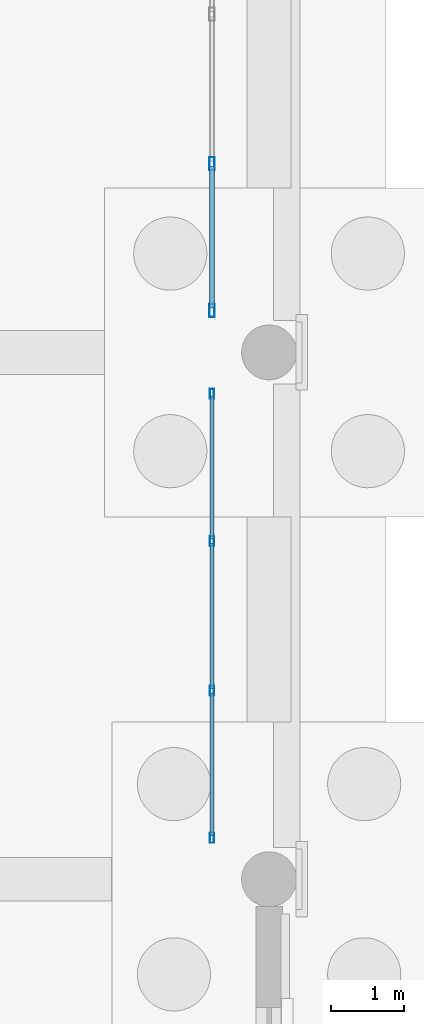
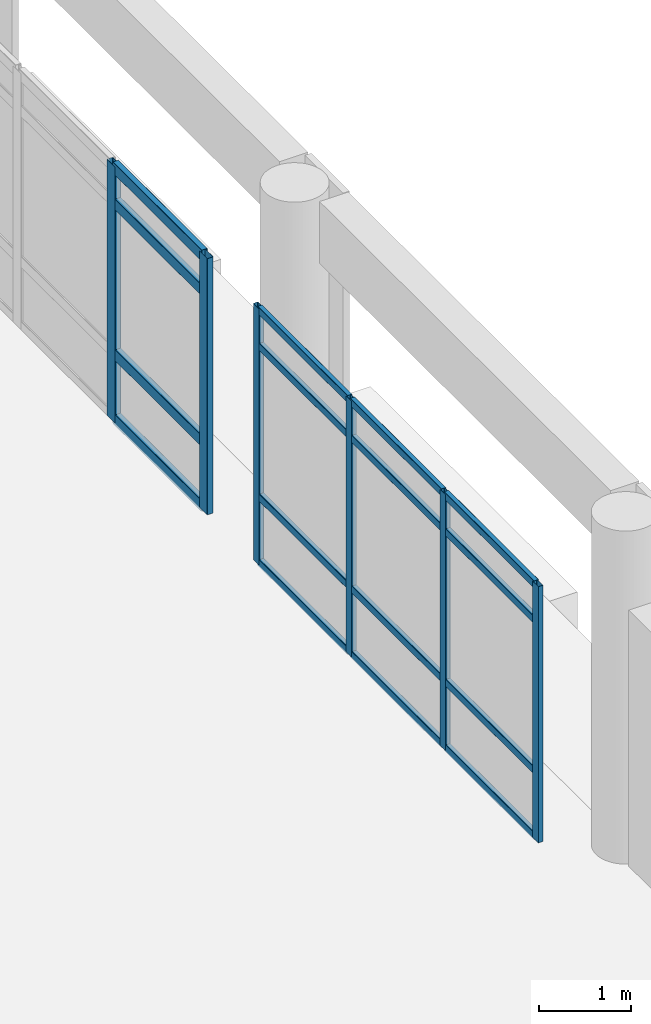
# One storey, part 125 of 196: 22 members, 2 elements without a shape of their own.
"""IFC4 building model written with IfcOpenShell, lengths in metres."""

from ifc_helpers import new_model, si_unit, direction, frame, origin, origin_2d, place, context, subcontext, project, spatial, hollow_rectangle, extrude, material, layer, layer_set, material_profile, profile_set, type_object, element, aggregate, save


model = new_model("IFC4")

# Units and contexts
model_context = context("Model", 3, precision=1e-05, world=origin(), true_north=direction((0.0, 1.0)))
body_context = subcontext(model_context, "Body", "Model", "MODEL_VIEW")
ifc_project = project(units=[si_unit("LENGTHUNIT", "METRE"), si_unit("AREAUNIT", "SQUARE_METRE"), si_unit("VOLUMEUNIT", "CUBIC_METRE"), si_unit("PLANEANGLEUNIT", "RADIAN"), si_unit("MASSUNIT", "GRAM", prefix="KILO")], contexts=[model_context])

# Site, building, storey
site_placement = place(None, origin())
site = spatial("IfcSite", under=ifc_project, at=site_placement, CompositionType="ELEMENT")
building_placement = place(site_placement, origin())
building = spatial("IfcBuilding", under=site, at=building_placement, Name="Asteropetra Specialist Clinic", CompositionType="ELEMENT")
storey_placement = place(building_placement, origin())
storey = spatial("IfcBuildingStorey", under=building, at=storey_placement, Name="L00", CompositionType="ELEMENT", Elevation=0.0)

# Curtain wall, members
ifc_material_1 = material(Name="Aluminium and low-E glass", Category="aluminium")
ifc_layer = layer(ifc_material_1, 0.179931640625)
ifc_layer_set = layer_set([ifc_layer], Name="Aluminium and low-E glass")
curtain_wall_type = type_object("IfcCurtainWallType", Name="CW-SYS-10", PredefinedType="USERDEFINED", material=ifc_layer_set)
curtain_wall_1_placement = place(storey_placement, origin())
curtain_wall_1 = element("IfcCurtainWall", 1, at=curtain_wall_1_placement, inside=storey, type_object=curtain_wall_type, Name="Curtain Wall CW-197", ObjectType="STICK GLAZED COLONNADE", PredefinedType="USERDEFINED")
ifc_material_2 = material(Name="Aluminium 6063-T6", Category="aluminium")
ifc_material_profile_1 = material_profile(ifc_material_2, hollow_rectangle(XDim=0.06005859375, YDim=0.135009765625, WallThickness=0.00341796875, InnerFilletRadius=0.00341796875, OuterFilletRadius=0.007080078125, at=origin_2d()), Name="MUL 135x60x3.5")
ifc_profile_set_1 = profile_set([ifc_material_profile_1], Name="Aluminium 6063-T6")
member_type_1 = type_object("IfcMemberType", Name="CWM-135x60", PredefinedType="MULLION", material=ifc_profile_set_1)
member_1_placement = place(storey_placement, frame((152.820068359375, 5.364990234375, 0.0), z_axis=(0.0, 0.0, 1.0), x_axis=(-1.0, 0.0, 0.0)))
member_1 = element("IfcMember", 2, at=member_1_placement, type_object=member_type_1, Name="CW-197 mullion 1", PredefinedType="MULLION", context=body_context, shape_type="SweptSolid", body=[
    extrude(hollow_rectangle(XDim=0.06005859375, YDim=0.135009765625, WallThickness=0.00341796875, InnerFilletRadius=0.00341796875, OuterFilletRadius=0.007080078125, at=origin_2d()), origin(), (0.0, 0.0, 1.0), 3.39990234375),
])
member_2_placement = place(storey_placement, frame((152.820068359375, 7.37841796875, 0.0), z_axis=(0.0, 0.0, 1.0), x_axis=(-1.0, 0.0, 0.0)))
member_2 = element("IfcMember", 3, at=member_2_placement, type_object=member_type_1, Name="CW-197 mullion 2", PredefinedType="MULLION", context=body_context, shape_type="SweptSolid", body=[
    extrude(hollow_rectangle(XDim=0.06005859375, YDim=0.135009765625, WallThickness=0.00341796875, InnerFilletRadius=0.00341796875, OuterFilletRadius=0.007080078125, at=origin_2d()), origin(), (0.0, 0.0, 1.0), 3.39990234375),
])
member_3_placement = place(storey_placement, frame((152.820068359375, 9.421630859375, 0.0), z_axis=(0.0, 0.0, 1.0), x_axis=(-1.0, 0.0, 0.0)))
member_3 = element("IfcMember", 4, at=member_3_placement, type_object=member_type_1, Name="CW-197 mullion 3", PredefinedType="MULLION", context=body_context, shape_type="SweptSolid", body=[
    extrude(hollow_rectangle(XDim=0.06005859375, YDim=0.135009765625, WallThickness=0.00341796875, InnerFilletRadius=0.00341796875, OuterFilletRadius=0.007080078125, at=origin_2d()), origin(), (0.0, 0.0, 1.0), 3.39990234375),
])
member_4_placement = place(storey_placement, frame((152.820068359375, 11.43505859375, 0.0), z_axis=(0.0, 0.0, 1.0), x_axis=(-1.0, 0.0, 0.0)))
member_4 = element("IfcMember", 5, at=member_4_placement, type_object=member_type_1, Name="CW-197 mullion 4", PredefinedType="MULLION", context=body_context, shape_type="SweptSolid", body=[
    extrude(hollow_rectangle(XDim=0.06005859375, YDim=0.135009765625, WallThickness=0.00341796875, InnerFilletRadius=0.00341796875, OuterFilletRadius=0.007080078125, at=origin_2d()), origin(), (0.0, 0.0, 1.0), 3.39990234375),
])

curtain_wall_2_placement = place(storey_placement, origin())
curtain_wall_2 = element("IfcCurtainWall", 6, at=curtain_wall_2_placement, inside=storey, type_object=curtain_wall_type, Name="Curtain Wall CW-198", ObjectType="STICK GLAZED COLONNADE", PredefinedType="USERDEFINED")
ifc_material_3 = material(Name="Aluminium 6063-T6", Category="aluminium")
ifc_material_profile_2 = material_profile(ifc_material_3, hollow_rectangle(XDim=0.074951171875, YDim=0.179931640625, WallThickness=0.00390625, InnerFilletRadius=0.00390625, OuterFilletRadius=0.008056640625, at=origin_2d()), Name="MUL 180x75x4.0")
ifc_profile_set_2 = profile_set([ifc_material_profile_2], Name="Aluminium 6063-T6")
member_type_2 = type_object("IfcMemberType", Name="CWM-180x75", PredefinedType="MULLION", material=ifc_profile_set_2)
member_5_placement = place(storey_placement, frame((152.820068359375, 12.572509765625, 0.0), z_axis=(0.0, 0.0, 1.0), x_axis=(-1.0, 0.0, 0.0)))
member_5 = element("IfcMember", 7, at=member_5_placement, type_object=member_type_2, Name="CW-198 mullion 1", PredefinedType="MULLION", context=body_context, shape_type="SweptSolid", body=[
    extrude(hollow_rectangle(XDim=0.074951171875, YDim=0.179931640625, WallThickness=0.00390625, InnerFilletRadius=0.00390625, OuterFilletRadius=0.008056640625, at=origin_2d()), origin(), (0.0, 0.0, 1.0), 3.39990234375),
])
member_6_placement = place(storey_placement, frame((152.820068359375, 14.578369140625, 0.0), z_axis=(0.0, 0.0, 1.0), x_axis=(-1.0, 0.0, 0.0)))
member_6 = element("IfcMember", 8, at=member_6_placement, type_object=member_type_2, Name="CW-198 mullion 2", PredefinedType="MULLION", context=body_context, shape_type="SweptSolid", body=[
    extrude(hollow_rectangle(XDim=0.074951171875, YDim=0.179931640625, WallThickness=0.00390625, InnerFilletRadius=0.00390625, OuterFilletRadius=0.008056640625, at=origin_2d()), origin(), (0.0, 0.0, 1.0), 3.39990234375),
])

# Member
ifc_material_4 = material(Name="Aluminium 6063-T6", Category="aluminium")
ifc_material_profile_3 = material_profile(ifc_material_4, hollow_rectangle(XDim=0.06005859375, YDim=0.10009765625, WallThickness=0.00341796875, InnerFilletRadius=0.00341796875, OuterFilletRadius=0.007080078125, at=origin_2d()), Name="TRN 100x60x3.5")
ifc_profile_set_3 = profile_set([ifc_material_profile_3], Name="Aluminium 6063-T6")
member_type_3 = type_object("IfcMemberType", Name="CWT-100x60", PredefinedType="USERDEFINED", material=ifc_profile_set_3)
member_7_placement = place(storey_placement, frame((152.820068359375, 5.39501953125, 0.030029296875), z_axis=(0.0, 1.0, 0.0), x_axis=(-1.0, 0.0, 0.0)))
member_7 = element("IfcMember", 9, at=member_7_placement, type_object=member_type_3, Name="CW-197 transom 1.1", ObjectType="TRANSOM", PredefinedType="USERDEFINED", context=body_context, shape_type="SweptSolid", body=[
    extrude(hollow_rectangle(XDim=0.06005859375, YDim=0.10009765625, WallThickness=0.00341796875, InnerFilletRadius=0.00341796875, OuterFilletRadius=0.007080078125, at=origin_2d()), origin(), (0.0, 0.0, 1.0), 1.953369140625),
])

member_8_placement = place(storey_placement, frame((152.820068359375, 5.39501953125, 0.89990234375), z_axis=(0.0, 1.0, 0.0), x_axis=(-1.0, 0.0, 0.0)))
member_8 = element("IfcMember", 10, at=member_8_placement, type_object=member_type_3, Name="CW-197 transom 1.2", ObjectType="TRANSOM", PredefinedType="USERDEFINED", context=body_context, shape_type="SweptSolid", body=[
    extrude(hollow_rectangle(XDim=0.06005859375, YDim=0.10009765625, WallThickness=0.00341796875, InnerFilletRadius=0.00341796875, OuterFilletRadius=0.007080078125, at=origin_2d()), origin(), (0.0, 0.0, 1.0), 1.953369140625),
])

member_9_placement = place(storey_placement, frame((152.820068359375, 5.39501953125, 2.89990234375), z_axis=(0.0, 1.0, 0.0), x_axis=(-1.0, 0.0, 0.0)))
member_9 = element("IfcMember", 11, at=member_9_placement, type_object=member_type_3, Name="CW-197 transom 1.3", ObjectType="TRANSOM", PredefinedType="USERDEFINED", context=body_context, shape_type="SweptSolid", body=[
    extrude(hollow_rectangle(XDim=0.06005859375, YDim=0.10009765625, WallThickness=0.00341796875, InnerFilletRadius=0.00341796875, OuterFilletRadius=0.007080078125, at=origin_2d()), origin(), (0.0, 0.0, 1.0), 1.953369140625),
])

member_10_placement = place(storey_placement, frame((152.820068359375, 5.39501953125, 3.3701171875), z_axis=(0.0, 1.0, 0.0), x_axis=(-1.0, 0.0, 0.0)))
member_10 = element("IfcMember", 12, at=member_10_placement, type_object=member_type_3, Name="CW-197 transom 1.4", ObjectType="TRANSOM", PredefinedType="USERDEFINED", context=body_context, shape_type="SweptSolid", body=[
    extrude(hollow_rectangle(XDim=0.06005859375, YDim=0.10009765625, WallThickness=0.00341796875, InnerFilletRadius=0.00341796875, OuterFilletRadius=0.007080078125, at=origin_2d()), origin(), (0.0, 0.0, 1.0), 1.953369140625),
])

member_11_placement = place(storey_placement, frame((152.820068359375, 7.408447265625, 0.030029296875), z_axis=(0.0, 1.0, 0.0), x_axis=(-1.0, 0.0, 0.0)))
member_11 = element("IfcMember", 13, at=member_11_placement, type_object=member_type_3, Name="CW-197 transom 2.1", ObjectType="TRANSOM", PredefinedType="USERDEFINED", context=body_context, shape_type="SweptSolid", body=[
    extrude(hollow_rectangle(XDim=0.06005859375, YDim=0.10009765625, WallThickness=0.00341796875, InnerFilletRadius=0.00341796875, OuterFilletRadius=0.007080078125, at=origin_2d()), origin(), (0.0, 0.0, 1.0), 1.983154296875),
])

member_12_placement = place(storey_placement, frame((152.820068359375, 7.408447265625, 0.89990234375), z_axis=(0.0, 1.0, 0.0), x_axis=(-1.0, 0.0, 0.0)))
member_12 = element("IfcMember", 14, at=member_12_placement, type_object=member_type_3, Name="CW-197 transom 2.2", ObjectType="TRANSOM", PredefinedType="USERDEFINED", context=body_context, shape_type="SweptSolid", body=[
    extrude(hollow_rectangle(XDim=0.06005859375, YDim=0.10009765625, WallThickness=0.00341796875, InnerFilletRadius=0.00341796875, OuterFilletRadius=0.007080078125, at=origin_2d()), origin(), (0.0, 0.0, 1.0), 1.983154296875),
])

member_13_placement = place(storey_placement, frame((152.820068359375, 7.408447265625, 2.89990234375), z_axis=(0.0, 1.0, 0.0), x_axis=(-1.0, 0.0, 0.0)))
member_13 = element("IfcMember", 15, at=member_13_placement, type_object=member_type_3, Name="CW-197 transom 2.3", ObjectType="TRANSOM", PredefinedType="USERDEFINED", context=body_context, shape_type="SweptSolid", body=[
    extrude(hollow_rectangle(XDim=0.06005859375, YDim=0.10009765625, WallThickness=0.00341796875, InnerFilletRadius=0.00341796875, OuterFilletRadius=0.007080078125, at=origin_2d()), origin(), (0.0, 0.0, 1.0), 1.983154296875),
])

member_14_placement = place(storey_placement, frame((152.820068359375, 7.408447265625, 3.3701171875), z_axis=(0.0, 1.0, 0.0), x_axis=(-1.0, 0.0, 0.0)))
member_14 = element("IfcMember", 16, at=member_14_placement, type_object=member_type_3, Name="CW-197 transom 2.4", ObjectType="TRANSOM", PredefinedType="USERDEFINED", context=body_context, shape_type="SweptSolid", body=[
    extrude(hollow_rectangle(XDim=0.06005859375, YDim=0.10009765625, WallThickness=0.00341796875, InnerFilletRadius=0.00341796875, OuterFilletRadius=0.007080078125, at=origin_2d()), origin(), (0.0, 0.0, 1.0), 1.983154296875),
])

member_15_placement = place(storey_placement, frame((152.820068359375, 9.45166015625, 0.030029296875), z_axis=(0.0, 1.0, 0.0), x_axis=(-1.0, 0.0, 0.0)))
member_15 = element("IfcMember", 17, at=member_15_placement, type_object=member_type_3, Name="CW-197 transom 3.1", ObjectType="TRANSOM", PredefinedType="USERDEFINED", context=body_context, shape_type="SweptSolid", body=[
    extrude(hollow_rectangle(XDim=0.06005859375, YDim=0.10009765625, WallThickness=0.00341796875, InnerFilletRadius=0.00341796875, OuterFilletRadius=0.007080078125, at=origin_2d()), origin(), (0.0, 0.0, 1.0), 1.953369140625),
])

member_16_placement = place(storey_placement, frame((152.820068359375, 9.45166015625, 0.89990234375), z_axis=(0.0, 1.0, 0.0), x_axis=(-1.0, 0.0, 0.0)))
member_16 = element("IfcMember", 18, at=member_16_placement, type_object=member_type_3, Name="CW-197 transom 3.2", ObjectType="TRANSOM", PredefinedType="USERDEFINED", context=body_context, shape_type="SweptSolid", body=[
    extrude(hollow_rectangle(XDim=0.06005859375, YDim=0.10009765625, WallThickness=0.00341796875, InnerFilletRadius=0.00341796875, OuterFilletRadius=0.007080078125, at=origin_2d()), origin(), (0.0, 0.0, 1.0), 1.953369140625),
])

member_17_placement = place(storey_placement, frame((152.820068359375, 9.45166015625, 2.89990234375), z_axis=(0.0, 1.0, 0.0), x_axis=(-1.0, 0.0, 0.0)))
member_17 = element("IfcMember", 19, at=member_17_placement, type_object=member_type_3, Name="CW-197 transom 3.3", ObjectType="TRANSOM", PredefinedType="USERDEFINED", context=body_context, shape_type="SweptSolid", body=[
    extrude(hollow_rectangle(XDim=0.06005859375, YDim=0.10009765625, WallThickness=0.00341796875, InnerFilletRadius=0.00341796875, OuterFilletRadius=0.007080078125, at=origin_2d()), origin(), (0.0, 0.0, 1.0), 1.953369140625),
])

member_18_placement = place(storey_placement, frame((152.820068359375, 9.45166015625, 3.3701171875), z_axis=(0.0, 1.0, 0.0), x_axis=(-1.0, 0.0, 0.0)))
member_18 = element("IfcMember", 20, at=member_18_placement, type_object=member_type_3, Name="CW-197 transom 3.4", ObjectType="TRANSOM", PredefinedType="USERDEFINED", context=body_context, shape_type="SweptSolid", body=[
    extrude(hollow_rectangle(XDim=0.06005859375, YDim=0.10009765625, WallThickness=0.00341796875, InnerFilletRadius=0.00341796875, OuterFilletRadius=0.007080078125, at=origin_2d()), origin(), (0.0, 0.0, 1.0), 1.953369140625),
])

aggregate(curtain_wall_1, [member_1, member_2, member_3, member_4, member_7, member_8, member_9, member_10, member_11, member_12, member_13, member_14, member_15, member_16, member_17, member_18])

ifc_material_5 = material(Name="Aluminium 6063-T6", Category="aluminium")
ifc_material_profile_4 = material_profile(ifc_material_5, hollow_rectangle(XDim=0.074951171875, YDim=0.14990234375, WallThickness=0.00390625, InnerFilletRadius=0.00390625, OuterFilletRadius=0.008056640625, at=origin_2d()), Name="TRN 150x75x4.0")
ifc_profile_set_4 = profile_set([ifc_material_profile_4], Name="Aluminium 6063-T6")
member_type_4 = type_object("IfcMemberType", Name="CWT-150x75", PredefinedType="USERDEFINED", material=ifc_profile_set_4)
member_19_placement = place(storey_placement, frame((152.820068359375, 12.610107421875, 0.03759765625), z_axis=(0.0, 1.0, 0.0), x_axis=(-1.0, 0.0, 0.0)))
member_19 = element("IfcMember", 21, at=member_19_placement, type_object=member_type_4, Name="CW-198 transom 1.1", ObjectType="TRANSOM", PredefinedType="USERDEFINED", context=body_context, shape_type="SweptSolid", body=[
    extrude(hollow_rectangle(XDim=0.074951171875, YDim=0.14990234375, WallThickness=0.00390625, InnerFilletRadius=0.00390625, OuterFilletRadius=0.008056640625, at=origin_2d()), origin(), (0.0, 0.0, 1.0), 1.9306640625),
])

member_20_placement = place(storey_placement, frame((152.820068359375, 12.610107421875, 0.89990234375), z_axis=(0.0, 1.0, 0.0), x_axis=(-1.0, 0.0, 0.0)))
member_20 = element("IfcMember", 22, at=member_20_placement, type_object=member_type_4, Name="CW-198 transom 1.2", ObjectType="TRANSOM", PredefinedType="USERDEFINED", context=body_context, shape_type="SweptSolid", body=[
    extrude(hollow_rectangle(XDim=0.074951171875, YDim=0.14990234375, WallThickness=0.00390625, InnerFilletRadius=0.00390625, OuterFilletRadius=0.008056640625, at=origin_2d()), origin(), (0.0, 0.0, 1.0), 1.9306640625),
])

member_21_placement = place(storey_placement, frame((152.820068359375, 12.610107421875, 2.89990234375), z_axis=(0.0, 1.0, 0.0), x_axis=(-1.0, 0.0, 0.0)))
member_21 = element("IfcMember", 23, at=member_21_placement, type_object=member_type_4, Name="CW-198 transom 1.3", ObjectType="TRANSOM", PredefinedType="USERDEFINED", context=body_context, shape_type="SweptSolid", body=[
    extrude(hollow_rectangle(XDim=0.074951171875, YDim=0.14990234375, WallThickness=0.00390625, InnerFilletRadius=0.00390625, OuterFilletRadius=0.008056640625, at=origin_2d()), origin(), (0.0, 0.0, 1.0), 1.9306640625),
])

member_22_placement = place(storey_placement, frame((152.820068359375, 12.610107421875, 3.362548828125), z_axis=(0.0, 1.0, 0.0), x_axis=(-1.0, 0.0, 0.0)))
member_22 = element("IfcMember", 24, at=member_22_placement, type_object=member_type_4, Name="CW-198 transom 1.4", ObjectType="TRANSOM", PredefinedType="USERDEFINED", context=body_context, shape_type="SweptSolid", body=[
    extrude(hollow_rectangle(XDim=0.074951171875, YDim=0.14990234375, WallThickness=0.00390625, InnerFilletRadius=0.00390625, OuterFilletRadius=0.008056640625, at=origin_2d()), origin(), (0.0, 0.0, 1.0), 1.9306640625),
])

aggregate(curtain_wall_2, [member_5, member_6, member_19, member_20, member_21, member_22])

save(model, "model.ifc")
